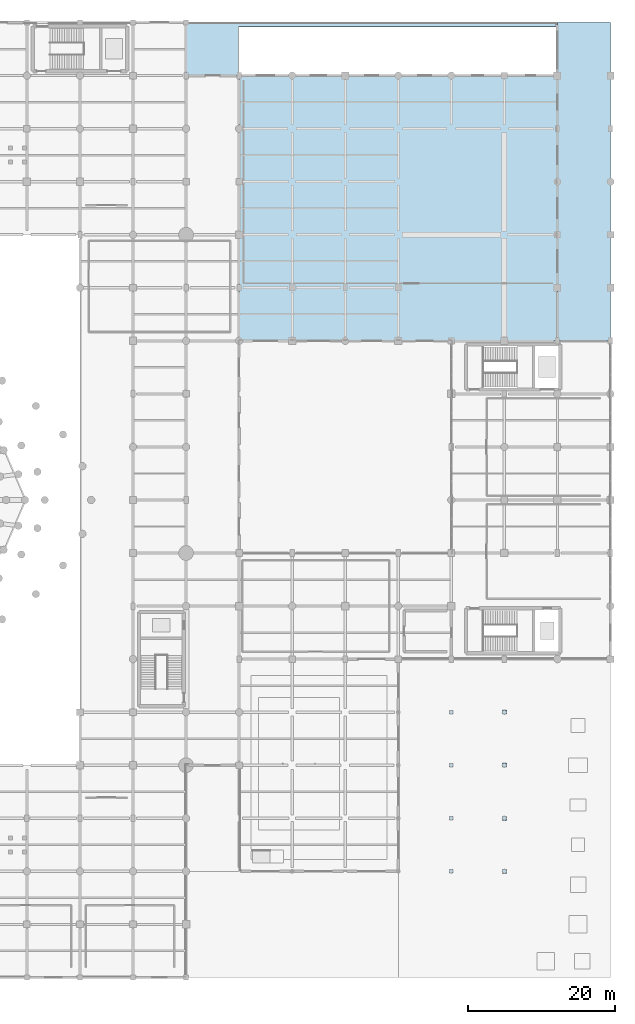
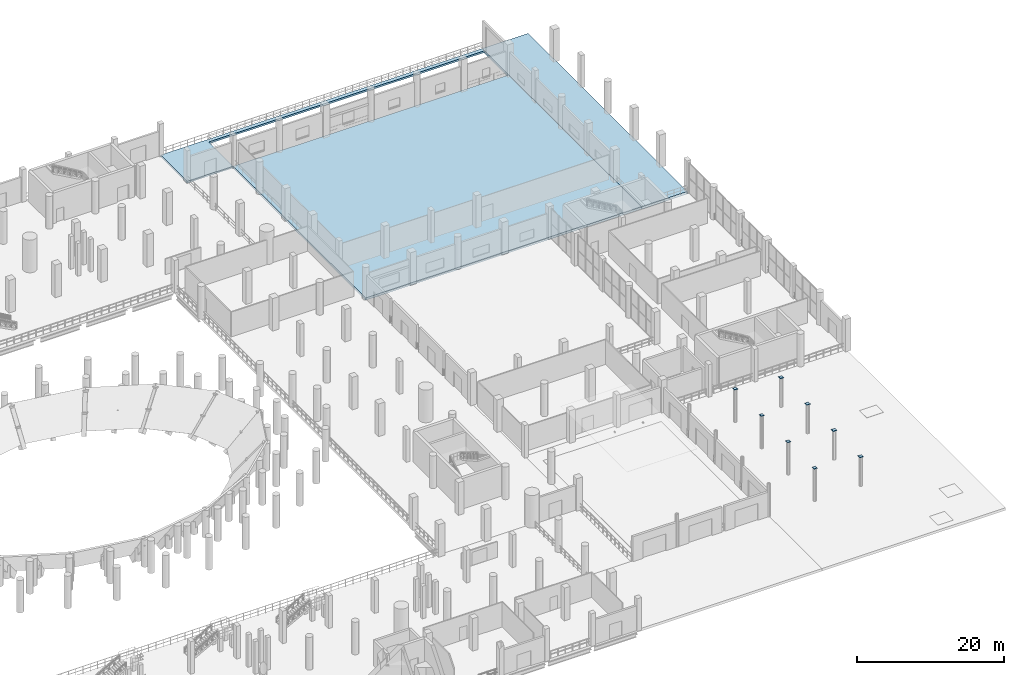
# One storey, part 31 of 58: 8 plates, 3 slabs.
"""IFC4 building model written with IfcOpenShell, lengths in metres."""

from ifc_helpers import new_model, si_unit, direction, frame, origin, origin_2d, place, context, subcontext, project, spatial, polyline, rectangle, outline, extrude, material, layer, layer_set, type_object, element, save


model = new_model("IFC4")

# Units and contexts
model_context = context("Model", 3, precision=1e-05, world=origin(), true_north=direction((0.0, 1.0)))
body_context = subcontext(model_context, "Body", "Model", "MODEL_VIEW")
ifc_project = project(units=[si_unit("LENGTHUNIT", "METRE"), si_unit("AREAUNIT", "SQUARE_METRE"), si_unit("VOLUMEUNIT", "CUBIC_METRE"), si_unit("PLANEANGLEUNIT", "RADIAN"), si_unit("MASSUNIT", "GRAM", prefix="KILO")], contexts=[model_context])

# Site, building, storey
site_placement = place(None, origin())
site = spatial("IfcSite", under=ifc_project, at=site_placement, CompositionType="ELEMENT")
building_placement = place(site_placement, origin())
building = spatial("IfcBuilding", under=site, at=building_placement, Name="Qandorah Velis Arena", CompositionType="ELEMENT")
storey_placement = place(building_placement, origin())
storey = spatial("IfcBuildingStorey", under=building, at=storey_placement, Name="L00", CompositionType="ELEMENT", Elevation=0.0)

# Plates
ifc_material_1 = material(Name="Steel S355", Category="steel")
ifc_layer_1 = layer(ifc_material_1, 0.02490234375)
ifc_layer_set_1 = layer_set([ifc_layer_1], Name="Steel S355")
plate_type = type_object("IfcPlateType", Name="STR-PLT-GUS25", PredefinedType="SHEET", material=ifc_layer_set_1)
for number, where, z_axis, x_axis, name in (
    (1, (151.199951171875, 14.39990234375, 5.447021484375), (0.0, 0.0, 1.0), (1.0, 0.0, 0.0), "Hollow column end cap plate L00-243"),
    (2, (151.199951171875, 21.60009765625, 5.447021484375), (0.0, 0.0, 1.0), (1.0, 0.0, 0.0), "Hollow column end cap plate L00-244"),
    (3, (151.199951171875, 28.800048828125, 5.447021484375), (0.0, 0.0, 1.0), (1.0, 0.0, 0.0), "Hollow column end cap plate L00-245"),
    (4, (151.199951171875, 36.0, 5.447021484375), (0.0, 0.0, 1.0), (1.0, 0.0, 0.0), "Hollow column end cap plate L00-246"),
):
    element("IfcPlate", number, at=place(storey_placement, frame(where, z_axis=z_axis, x_axis=x_axis)), inside=storey, type_object=plate_type, Name=name, PredefinedType="SHEET", context=body_context, shape_type="SweptSolid", body=[
        extrude(rectangle(XDim=0.4970703125, YDim=0.4970703125, at=origin_2d()), origin(), (0.0, 0.0, 1.0), 0.02490234375),
    ])
for number, where, z_axis, x_axis, name in (
    (5, (158.39990234375, 14.39990234375, 4.817626953125), (0.0, 0.0, 1.0), (1.0, 0.0, 0.0), "Hollow column top cap plate VC2"),
    (6, (158.39990234375, 21.60009765625, 4.817626953125), (0.0, 0.0, 1.0), (1.0, 0.0, 0.0), "Hollow column top cap plate VC3"),
    (7, (158.39990234375, 28.800048828125, 4.817626953125), (0.0, 0.0, 1.0), (1.0, 0.0, 0.0), "Hollow column top cap plate VC4"),
    (8, (158.39990234375, 36.0, 4.817626953125), (0.0, 0.0, 1.0), (1.0, 0.0, 0.0), "Hollow column top cap plate VC5"),
):
    element("IfcPlate", number, at=place(storey_placement, frame(where, z_axis=z_axis, x_axis=x_axis)), inside=storey, type_object=plate_type, Name=name, PredefinedType="SHEET", context=body_context, shape_type="SweptSolid", body=[
        extrude(rectangle(XDim=0.5400390625, YDim=0.5400390625, at=origin_2d()), origin(), (0.0, 0.0, 1.0), 0.02490234375),
    ])

# Slabs
ifc_material_2 = material(Name="Concrete C40/50", Category="concrete")
ifc_layer_2 = layer(ifc_material_2, 0.300048828125)
ifc_layer_set_2 = layer_set([ifc_layer_2], Name="Concrete C40/50")
slab_type_1 = type_object("IfcSlabType", Name="STR-SLB-FL300", PredefinedType="FLOOR", material=ifc_layer_set_2)
slab_1_placement = place(storey_placement, frame((0.0, 0.0, -0.300048828125)))
element("IfcSlab", 9, at=slab_1_placement, inside=storey, type_object=slab_type_1, Name="North ramp collar slab", PredefinedType="FLOOR", context=body_context, shape_type="SweptSolid", body=[
    extrude(outline(polyline([(115.199951171875, 122.39990234375), (115.199951171875, 129.60009765625), (165.60009765625, 129.60009765625), (165.60009765625, 129.0), (122.39990234375, 129.0), (122.39990234375, 122.39990234375), (115.199951171875, 122.39990234375)])), origin(), (0.0, 0.0, 1.0), 0.300048828125),
])
ifc_layer_3 = layer(ifc_material_2, 0.3798828125)
ifc_layer_set_3 = layer_set([ifc_layer_3], Name="Concrete C40/50")
slab_type_2 = type_object("IfcSlabType", Name="STR-SLB-FL380", PredefinedType="FLOOR", material=ifc_layer_set_3)
slab_2_placement = place(storey_placement, frame((0.0, 0.0, -0.3798828125)))
element("IfcSlab", 10, at=slab_2_placement, inside=storey, type_object=slab_type_2, Name="Structural floor slab L00_PRACTICE_WING", PredefinedType="FLOOR", context=body_context, shape_type="SweptSolid", body=[
    extrude(outline(polyline([(165.60009765625, 86.39990234375), (122.39990234375, 86.39990234375), (122.39990234375, 122.39990234375), (165.60009765625, 122.39990234375), (165.60009765625, 86.39990234375)])), origin(), (0.0, 0.0, 1.0), 0.3798828125),
])
ifc_layer_4 = layer(ifc_material_2, 0.419921875)
ifc_layer_set_4 = layer_set([ifc_layer_4], Name="Concrete C40/50")
slab_type_3 = type_object("IfcSlabType", Name="STR-SLB-PLZ420", PredefinedType="FLOOR", material=ifc_layer_set_4)
slab_3_placement = place(storey_placement, frame((0.0, 0.0, -0.419921875)))
element("IfcSlab", 11, at=slab_3_placement, inside=storey, type_object=slab_type_3, Name="Exterior truck dock service apron slab", PredefinedType="FLOOR", context=body_context, shape_type="SweptSolid", body=[
    extrude(outline(polyline([(165.60009765625, 86.39990234375), (172.800048828125, 86.39990234375), (172.800048828125, 129.60009765625), (165.60009765625, 129.60009765625), (165.60009765625, 86.39990234375)])), origin(), (0.0, 0.0, 1.0), 0.419921875),
])

save(model, "model.ifc")
